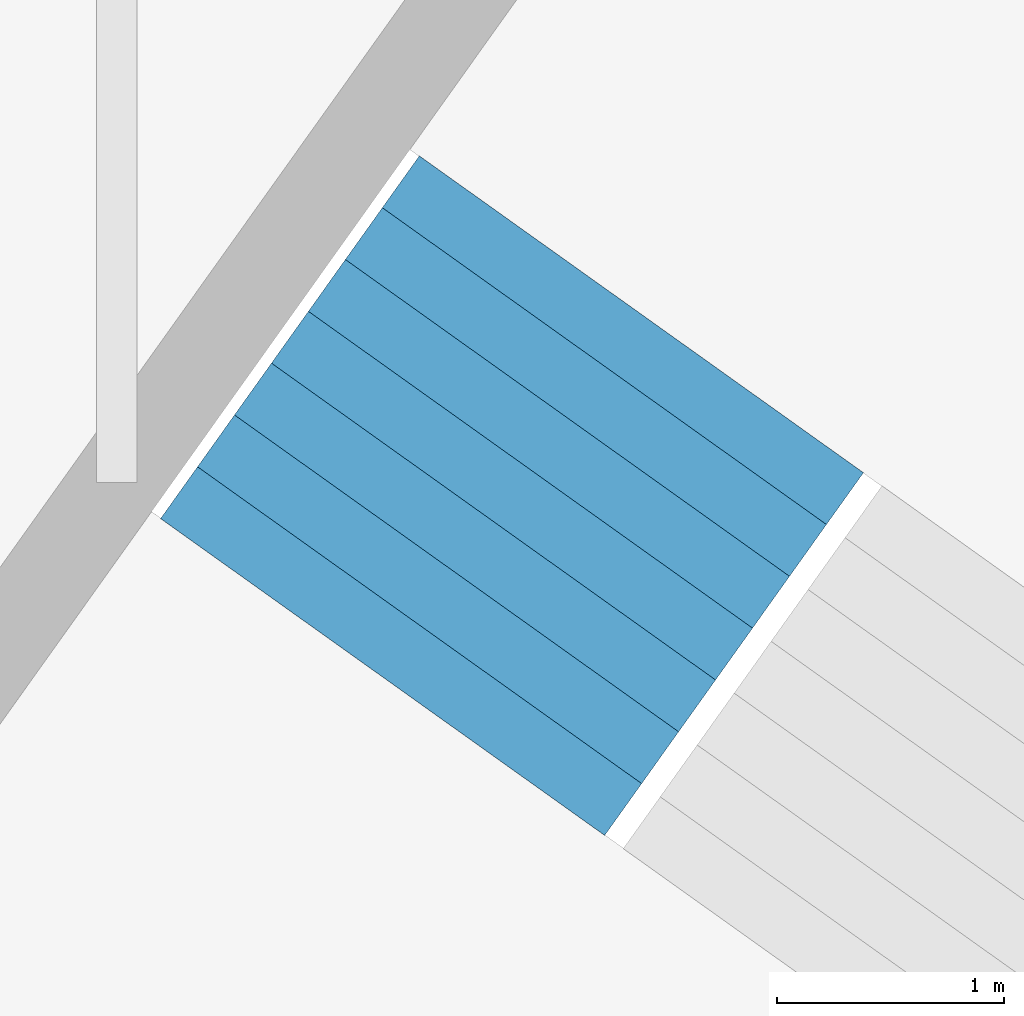
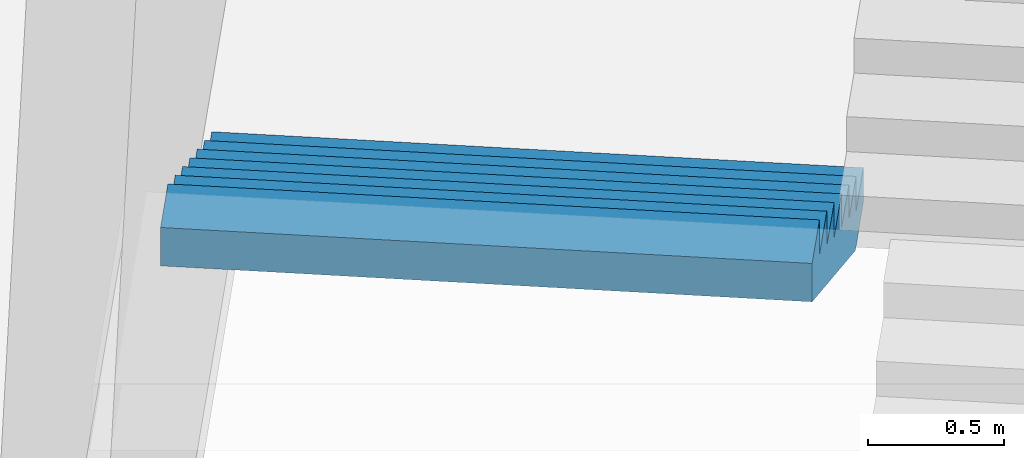
# One storey, part 69 of 73: 1 stair flight, 1 element without a shape of its own.
"""IFC4 building model written with IfcOpenShell, lengths in metres."""

from ifc_helpers import new_model, si_unit, direction, frame, origin, place, context, subcontext, project, spatial, triangles, material, type_object, element, aggregate, save


model = new_model("IFC4")

# Units and contexts
model_context = context("Model", 3, precision=1e-05, world=origin(), true_north=direction((0.0, 1.0)))
body_context = subcontext(model_context, "Body", "Model", "MODEL_VIEW")
ifc_project = project(units=[si_unit("LENGTHUNIT", "METRE"), si_unit("AREAUNIT", "SQUARE_METRE"), si_unit("VOLUMEUNIT", "CUBIC_METRE"), si_unit("PLANEANGLEUNIT", "RADIAN"), si_unit("MASSUNIT", "GRAM", prefix="KILO")], contexts=[model_context])

# Site, building, storey
site_placement = place(None, origin())
site = spatial("IfcSite", under=ifc_project, at=site_placement, CompositionType="ELEMENT")
building_placement = place(site_placement, origin())
building = spatial("IfcBuilding", under=site, at=building_placement, Name="Lantaw Convention Tower", CompositionType="ELEMENT")
storey_placement = place(building_placement, frame((0.0, 0.0, 27.0)))
storey = spatial("IfcBuildingStorey", under=building, at=storey_placement, Name="L04", CompositionType="ELEMENT", Elevation=27.0)

# Stair, stair flight
ifc_material = material(Name="Concrete C35/45", Category="concrete")
stair_type = type_object("IfcStairType", Name="Exit stair 2400 riser 156.25 in 4 flights", PredefinedType="HALF_TURN_STAIR", material=ifc_material)
stair_placement = place(storey_placement, origin())
stair = element("IfcStair", 1, at=stair_placement, inside=storey, type_object=stair_type, Name="Podium exit stair P4 L04", PredefinedType="HALF_TURN_STAIR")
stair_flight_type = type_object("IfcStairFlightType", Name="Stair flight 2400 riser 156.25", PredefinedType="STRAIGHT", material=ifc_material)
stair_flight_placement = place(storey_placement, frame((18.1083984375, 27.53955078125, 1.25), z_axis=(0.0, 0.0, 1.0), x_axis=(-0.580702955711, -0.814115518356, 0.0)))
stair_flight = element("IfcStairFlight", 2, at=stair_flight_placement, type_object=stair_flight_type, Name="P4 flight 2", NumberOfRisers=8, NumberOfTreads=7, PredefinedType="STRAIGHT", RiserHeight=0.15625, TreadLength=0.28, context=body_context, shape_type="Tessellation", body=[
    triangles([(0.0, 1.199951171875, 0.0), (0.0, 1.199951171875, 0.15625), (0.28, 1.199951171875, 0.0), (0.28, 1.199951171875, 0.15625), (0.28, 1.199951171875, 0.3125), (0.3076200632058044, 1.199951171875, 0.0), (0.3076200632058044, 1.199951171875, 0.3125), (0.56, 1.199951171875, 0.14083701830033238), (0.56, 1.199951171875, 0.3125), (0.56, 1.199951171875, 0.46875), (0.8400000000000001, 1.199951171875, 0.29708701830033235), (0.8400000000000001, 1.199951171875, 0.46875), (0.8400000000000001, 1.199951171875, 0.625), (1.12, 1.199951171875, 0.45333701830033235), (1.12, 1.199951171875, 0.625), (1.12, 1.199951171875, 0.78125), (1.4000000000000001, 1.199951171875, 0.6095870183003324), (1.4000000000000001, 1.199951171875, 0.78125), (1.4000000000000001, 1.199951171875, 0.9375), (1.6800000000000002, 1.199951171875, 0.7658370183003324), (1.6800000000000002, 1.199951171875, 0.9375), (1.6800000000000002, 1.199951171875, 1.09375), (1.9600000000000002, 1.199951171875, 0.9220870183003324), (1.9600000000000002, 1.199951171875, 1.09375), (0.0, -1.199951171875, 0.0), (0.0, -1.199951171875, 0.15625), (0.28, -1.199951171875, 0.0), (0.28, -1.199951171875, 0.15625), (0.28, -1.199951171875, 0.3125), (0.3076200632058044, -1.199951171875, 0.0), (0.3076200632058044, -1.199951171875, 0.3125), (0.56, -1.199951171875, 0.14083701830033238), (0.56, -1.199951171875, 0.3125), (0.56, -1.199951171875, 0.46875), (0.8400000000000001, -1.199951171875, 0.29708701830033235), (0.8400000000000001, -1.199951171875, 0.46875), (0.8400000000000001, -1.199951171875, 0.625), (1.12, -1.199951171875, 0.45333701830033235), (1.12, -1.199951171875, 0.625), (1.12, -1.199951171875, 0.78125), (1.4000000000000001, -1.199951171875, 0.6095870183003324), (1.4000000000000001, -1.199951171875, 0.78125), (1.4000000000000001, -1.199951171875, 0.9375), (1.6800000000000002, -1.199951171875, 0.7658370183003324), (1.6800000000000002, -1.199951171875, 0.9375), (1.6800000000000002, -1.199951171875, 1.09375), (1.9600000000000002, -1.199951171875, 0.9220870183003324), (1.9600000000000002, -1.199951171875, 1.09375), (0.0, 0.239990234375, 0.15625), (0.0, 0.239990234375, 0.0), (0.0, 0.1919921875, 0.15625), (0.0, 0.1919921875, 0.0), (0.0, 0.143994140625, 0.15625), (0.0, 0.143994140625, 0.0), (0.0, 0.09599609375, 0.15625), (0.0, 0.09599609375, 0.0), (0.0, 0.047998046875, 0.15625), (0.0, 0.047998046875, 0.0), (0.0, 0.0, 0.15625), (0.0, 0.0, 0.0), (0.0, -0.047998046875, 0.15625), (0.0, -0.047998046875, 0.0), (0.0, -0.09599609375, 0.15625), (0.0, -0.09599609375, 0.0), (0.0, -0.143994140625, 0.15625), (0.0, -0.143994140625, 0.0), (0.0, -0.1919921875, 0.15625), (0.0, -0.1919921875, 0.0), (0.0, -0.239990234375, 0.15625), (0.0, -0.239990234375, 0.0), (0.28, 0.239990234375, 0.3125), (0.28, 0.239990234375, 0.15625), (0.28, 0.1919921875, 0.3125), (0.28, 0.1919921875, 0.15625), (0.28, 0.143994140625, 0.3125), (0.28, 0.143994140625, 0.15625), (0.28, 0.09599609375, 0.3125), (0.28, 0.09599609375, 0.15625), (0.28, 0.047998046875, 0.3125), (0.28, 0.047998046875, 0.15625), (0.28, 0.0, 0.3125), (0.28, 0.0, 0.15625), (0.28, -0.047998046875, 0.3125), (0.28, -0.047998046875, 0.15625), (0.28, -0.09599609375, 0.3125), (0.28, -0.09599609375, 0.15625), (0.28, -0.143994140625, 0.3125), (0.28, -0.143994140625, 0.15625), (0.28, -0.1919921875, 0.3125), (0.28, -0.1919921875, 0.15625), (0.28, -0.239990234375, 0.3125), (0.28, -0.239990234375, 0.15625), (0.56, 0.239990234375, 0.46875), (0.56, 0.239990234375, 0.3125), (0.56, 0.1919921875, 0.46875), (0.56, 0.1919921875, 0.3125), (0.56, 0.143994140625, 0.46875), (0.56, 0.143994140625, 0.3125), (0.56, 0.09599609375, 0.46875), (0.56, 0.09599609375, 0.3125), (0.56, 0.047998046875, 0.46875), (0.56, 0.047998046875, 0.3125), (0.56, 0.0, 0.46875), (0.56, 0.0, 0.3125), (0.56, -0.047998046875, 0.46875), (0.56, -0.047998046875, 0.3125), (0.56, -0.09599609375, 0.46875), (0.56, -0.09599609375, 0.3125), (0.56, -0.143994140625, 0.46875), (0.56, -0.143994140625, 0.3125), (0.56, -0.1919921875, 0.46875), (0.56, -0.1919921875, 0.3125), (0.56, -0.239990234375, 0.46875), (0.56, -0.239990234375, 0.3125), (0.8400000000000001, 0.239990234375, 0.625), (0.8400000000000001, 0.239990234375, 0.46875), (0.8400000000000001, 0.1919921875, 0.625), (0.8400000000000001, 0.1919921875, 0.46875), (0.8400000000000001, 0.143994140625, 0.625), (0.8400000000000001, 0.143994140625, 0.46875), (0.8400000000000001, 0.09599609375, 0.625), (0.8400000000000001, 0.09599609375, 0.46875), (0.8400000000000001, 0.047998046875, 0.625), (0.8400000000000001, 0.047998046875, 0.46875), (0.8400000000000001, 0.0, 0.625), (0.8400000000000001, 0.0, 0.46875), (0.8400000000000001, -0.047998046875, 0.625), (0.8400000000000001, -0.047998046875, 0.46875), (0.8400000000000001, -0.09599609375, 0.625), (0.8400000000000001, -0.09599609375, 0.46875), (0.8400000000000001, -0.143994140625, 0.625), (0.8400000000000001, -0.143994140625, 0.46875), (0.8400000000000001, -0.1919921875, 0.625), (0.8400000000000001, -0.1919921875, 0.46875), (0.8400000000000001, -0.239990234375, 0.625), (0.8400000000000001, -0.239990234375, 0.46875), (1.12, 0.239990234375, 0.78125), (1.12, 0.239990234375, 0.625), (1.12, 0.1919921875, 0.78125), (1.12, 0.1919921875, 0.625), (1.12, 0.143994140625, 0.78125), (1.12, 0.143994140625, 0.625), (1.12, 0.09599609375, 0.78125), (1.12, 0.09599609375, 0.625), (1.12, 0.047998046875, 0.78125), (1.12, 0.047998046875, 0.625), (1.12, 0.0, 0.78125), (1.12, 0.0, 0.625), (1.12, -0.047998046875, 0.78125), (1.12, -0.047998046875, 0.625), (1.12, -0.09599609375, 0.78125), (1.12, -0.09599609375, 0.625), (1.12, -0.143994140625, 0.78125), (1.12, -0.143994140625, 0.625), (1.12, -0.1919921875, 0.78125), (1.12, -0.1919921875, 0.625), (1.12, -0.239990234375, 0.78125), (1.12, -0.239990234375, 0.625), (1.4000000000000001, 0.239990234375, 0.9375), (1.4000000000000001, 0.239990234375, 0.78125), (1.4000000000000001, 0.1919921875, 0.9375), (1.4000000000000001, 0.1919921875, 0.78125), (1.4000000000000001, 0.143994140625, 0.9375), (1.4000000000000001, 0.143994140625, 0.78125), (1.4000000000000001, 0.09599609375, 0.9375), (1.4000000000000001, 0.09599609375, 0.78125), (1.4000000000000001, 0.047998046875, 0.9375), (1.4000000000000001, 0.047998046875, 0.78125), (1.4000000000000001, 0.0, 0.9375), (1.4000000000000001, 0.0, 0.78125), (1.4000000000000001, -0.047998046875, 0.9375), (1.4000000000000001, -0.047998046875, 0.78125), (1.4000000000000001, -0.09599609375, 0.9375), (1.4000000000000001, -0.09599609375, 0.78125), (1.4000000000000001, -0.143994140625, 0.9375), (1.4000000000000001, -0.143994140625, 0.78125), (1.4000000000000001, -0.1919921875, 0.9375), (1.4000000000000001, -0.1919921875, 0.78125), (1.4000000000000001, -0.239990234375, 0.9375), (1.4000000000000001, -0.239990234375, 0.78125), (1.6800000000000002, 0.239990234375, 1.09375), (1.6800000000000002, 0.239990234375, 0.9375), (1.6800000000000002, 0.1919921875, 1.09375), (1.6800000000000002, 0.1919921875, 0.9375), (1.6800000000000002, 0.143994140625, 1.09375), (1.6800000000000002, 0.143994140625, 0.9375), (1.6800000000000002, 0.09599609375, 1.09375), (1.6800000000000002, 0.09599609375, 0.9375), (1.6800000000000002, 0.047998046875, 1.09375), (1.6800000000000002, 0.047998046875, 0.9375), (1.6800000000000002, 0.0, 1.09375), (1.6800000000000002, 0.0, 0.9375), (1.6800000000000002, -0.047998046875, 1.09375), (1.6800000000000002, -0.047998046875, 0.9375), (1.6800000000000002, -0.09599609375, 1.09375), (1.6800000000000002, -0.09599609375, 0.9375), (1.6800000000000002, -0.143994140625, 1.09375), (1.6800000000000002, -0.143994140625, 0.9375), (1.6800000000000002, -0.1919921875, 1.09375), (1.6800000000000002, -0.1919921875, 0.9375), (1.6800000000000002, -0.239990234375, 1.09375), (1.6800000000000002, -0.239990234375, 0.9375), (0.3076200632058044, 0.239990234375, 0.3125), (0.3076200632058044, 0.1919921875, 0.3125), (0.3076200632058044, 0.143994140625, 0.3125), (0.3076200632058044, 0.09599609375, 0.3125), (0.3076200632058044, 0.047998046875, 0.3125), (0.3076200632058044, 0.0, 0.3125), (0.3076200632058044, -0.047998046875, 0.3125), (0.3076200632058044, -0.09599609375, 0.3125), (0.3076200632058044, -0.143994140625, 0.3125), (0.3076200632058044, -0.1919921875, 0.3125), (0.3076200632058044, -0.239990234375, 0.3125), (1.9600000000000002, 0.239990234375, 1.09375), (1.9600000000000002, 0.1919921875, 1.09375), (1.9600000000000002, 0.143994140625, 1.09375), (1.9600000000000002, 0.09599609375, 1.09375), (1.9600000000000002, 0.047998046875, 1.09375), (1.9600000000000002, 0.0, 1.09375), (1.9600000000000002, -0.047998046875, 1.09375), (1.9600000000000002, -0.09599609375, 1.09375), (1.9600000000000002, -0.143994140625, 1.09375), (1.9600000000000002, -0.1919921875, 1.09375), (1.9600000000000002, -0.239990234375, 1.09375), (1.9600000000000002, 0.239990234375, 0.9220870183003324), (1.9600000000000002, 0.1919921875, 0.9220870183003324), (1.9600000000000002, 0.143994140625, 0.9220870183003324), (1.9600000000000002, 0.09599609375, 0.9220870183003324), (1.9600000000000002, 0.047998046875, 0.9220870183003324), (1.9600000000000002, 0.0, 0.9220870183003324), (1.9600000000000002, -0.047998046875, 0.9220870183003324), (1.9600000000000002, -0.09599609375, 0.9220870183003324), (1.9600000000000002, -0.143994140625, 0.9220870183003324), (1.9600000000000002, -0.1919921875, 0.9220870183003324), (1.9600000000000002, -0.239990234375, 0.9220870183003324), (1.6800000000000002, 0.239990234375, 0.7658370183003324), (1.6800000000000002, 0.1919921875, 0.7658370183003324), (1.6800000000000002, 0.143994140625, 0.7658370183003324), (1.6800000000000002, 0.09599609375, 0.7658370183003324), (1.6800000000000002, 0.047998046875, 0.7658370183003324), (1.6800000000000002, 0.0, 0.7658370183003324), (1.6800000000000002, -0.047998046875, 0.7658370183003324), (1.6800000000000002, -0.09599609375, 0.7658370183003324), (1.6800000000000002, -0.143994140625, 0.7658370183003324), (1.6800000000000002, -0.1919921875, 0.7658370183003324), (1.6800000000000002, -0.239990234375, 0.7658370183003324), (1.4000000000000001, 0.239990234375, 0.6095870183003324), (1.4000000000000001, 0.1919921875, 0.6095870183003324), (1.4000000000000001, 0.143994140625, 0.6095870183003324), (1.4000000000000001, 0.09599609375, 0.6095870183003324), (1.4000000000000001, 0.047998046875, 0.6095870183003324), (1.4000000000000001, 0.0, 0.6095870183003324), (1.4000000000000001, -0.047998046875, 0.6095870183003324), (1.4000000000000001, -0.09599609375, 0.6095870183003324), (1.4000000000000001, -0.143994140625, 0.6095870183003324), (1.4000000000000001, -0.1919921875, 0.6095870183003324), (1.4000000000000001, -0.239990234375, 0.6095870183003324), (1.12, 0.239990234375, 0.45333701830033235), (1.12, 0.1919921875, 0.45333701830033235), (1.12, 0.143994140625, 0.45333701830033235), (1.12, 0.09599609375, 0.45333701830033235), (1.12, 0.047998046875, 0.45333701830033235), (1.12, 0.0, 0.45333701830033235), (1.12, -0.047998046875, 0.45333701830033235), (1.12, -0.09599609375, 0.45333701830033235), (1.12, -0.143994140625, 0.45333701830033235), (1.12, -0.1919921875, 0.45333701830033235), (1.12, -0.239990234375, 0.45333701830033235), (0.8400000000000001, 0.239990234375, 0.29708701830033235), (0.8400000000000001, 0.1919921875, 0.29708701830033235), (0.8400000000000001, 0.143994140625, 0.29708701830033235), (0.8400000000000001, 0.09599609375, 0.29708701830033235), (0.8400000000000001, 0.047998046875, 0.29708701830033235), (0.8400000000000001, 0.0, 0.29708701830033235), (0.8400000000000001, -0.047998046875, 0.29708701830033235), (0.8400000000000001, -0.09599609375, 0.29708701830033235), (0.8400000000000001, -0.143994140625, 0.29708701830033235), (0.8400000000000001, -0.1919921875, 0.29708701830033235), (0.8400000000000001, -0.239990234375, 0.29708701830033235), (0.56, 0.239990234375, 0.14083701830033238), (0.56, 0.1919921875, 0.14083701830033238), (0.56, 0.143994140625, 0.14083701830033238), (0.56, 0.09599609375, 0.14083701830033238), (0.56, 0.047998046875, 0.14083701830033238), (0.56, 0.0, 0.14083701830033238), (0.56, -0.047998046875, 0.14083701830033238), (0.56, -0.09599609375, 0.14083701830033238), (0.56, -0.143994140625, 0.14083701830033238), (0.56, -0.1919921875, 0.14083701830033238), (0.56, -0.239990234375, 0.14083701830033238), (0.3076200632058044, 0.239990234375, 0.0), (0.3076200632058044, 0.1919921875, 0.0), (0.3076200632058044, 0.143994140625, 0.0), (0.3076200632058044, 0.09599609375, 0.0), (0.3076200632058044, 0.047998046875, 0.0), (0.3076200632058044, 0.0, 0.0), (0.3076200632058044, -0.047998046875, 0.0), (0.3076200632058044, -0.09599609375, 0.0), (0.3076200632058044, -0.143994140625, 0.0), (0.3076200632058044, -0.1919921875, 0.0), (0.3076200632058044, -0.239990234375, 0.0), (0.28, 0.239990234375, 0.0), (0.28, 0.1919921875, 0.0), (0.28, 0.143994140625, 0.0), (0.28, 0.09599609375, 0.0), (0.28, 0.047998046875, 0.0), (0.28, 0.0, 0.0), (0.28, -0.047998046875, 0.0), (0.28, -0.09599609375, 0.0), (0.28, -0.143994140625, 0.0), (0.28, -0.1919921875, 0.0), (0.28, -0.239990234375, 0.0)], [[1, 4, 3], [1, 2, 4], [3, 4, 6], [4, 7, 6], [4, 5, 7], [6, 9, 8], [6, 7, 9], [8, 9, 11], [9, 12, 11], [9, 10, 12], [11, 12, 14], [12, 15, 14], [12, 13, 15], [14, 15, 17], [15, 18, 17], [15, 16, 18], [17, 18, 20], [18, 21, 20], [18, 19, 21], [20, 21, 23], [21, 24, 23], [21, 22, 24], [25, 27, 28], [25, 28, 26], [27, 30, 28], [28, 30, 31], [28, 31, 29], [30, 32, 33], [30, 33, 31], [32, 35, 33], [33, 35, 36], [33, 36, 34], [35, 38, 36], [36, 38, 39], [36, 39, 37], [38, 41, 39], [39, 41, 42], [39, 42, 40], [41, 44, 42], [42, 44, 45], [42, 45, 43], [44, 47, 45], [45, 47, 48], [45, 48, 46], [1, 49, 2], [1, 50, 49], [50, 51, 49], [50, 52, 51], [52, 53, 51], [52, 54, 53], [54, 55, 53], [54, 56, 55], [56, 57, 55], [56, 58, 57], [58, 59, 57], [58, 60, 59], [60, 61, 59], [60, 62, 61], [62, 63, 61], [62, 64, 63], [64, 65, 63], [64, 66, 65], [66, 67, 65], [66, 68, 67], [68, 69, 67], [68, 70, 69], [70, 26, 69], [70, 25, 26], [4, 71, 5], [4, 72, 71], [72, 73, 71], [72, 74, 73], [74, 75, 73], [74, 76, 75], [76, 77, 75], [76, 78, 77], [78, 79, 77], [78, 80, 79], [80, 81, 79], [80, 82, 81], [82, 83, 81], [82, 84, 83], [84, 85, 83], [84, 86, 85], [86, 87, 85], [86, 88, 87], [88, 89, 87], [88, 90, 89], [90, 91, 89], [90, 92, 91], [92, 29, 91], [92, 28, 29], [9, 93, 10], [9, 94, 93], [94, 95, 93], [94, 96, 95], [96, 97, 95], [96, 98, 97], [98, 99, 97], [98, 100, 99], [100, 101, 99], [100, 102, 101], [102, 103, 101], [102, 104, 103], [104, 105, 103], [104, 106, 105], [106, 107, 105], [106, 108, 107], [108, 109, 107], [108, 110, 109], [110, 111, 109], [110, 112, 111], [112, 113, 111], [112, 114, 113], [114, 34, 113], [114, 33, 34], [12, 115, 13], [12, 116, 115], [116, 117, 115], [116, 118, 117], [118, 119, 117], [118, 120, 119], [120, 121, 119], [120, 122, 121], [122, 123, 121], [122, 124, 123], [124, 125, 123], [124, 126, 125], [126, 127, 125], [126, 128, 127], [128, 129, 127], [128, 130, 129], [130, 131, 129], [130, 132, 131], [132, 133, 131], [132, 134, 133], [134, 135, 133], [134, 136, 135], [136, 37, 135], [136, 36, 37], [15, 137, 16], [15, 138, 137], [138, 139, 137], [138, 140, 139], [140, 141, 139], [140, 142, 141], [142, 143, 141], [142, 144, 143], [144, 145, 143], [144, 146, 145], [146, 147, 145], [146, 148, 147], [148, 149, 147], [148, 150, 149], [150, 151, 149], [150, 152, 151], [152, 153, 151], [152, 154, 153], [154, 155, 153], [154, 156, 155], [156, 157, 155], [156, 158, 157], [158, 40, 157], [158, 39, 40], [18, 159, 19], [18, 160, 159], [160, 161, 159], [160, 162, 161], [162, 163, 161], [162, 164, 163], [164, 165, 163], [164, 166, 165], [166, 167, 165], [166, 168, 167], [168, 169, 167], [168, 170, 169], [170, 171, 169], [170, 172, 171], [172, 173, 171], [172, 174, 173], [174, 175, 173], [174, 176, 175], [176, 177, 175], [176, 178, 177], [178, 179, 177], [178, 180, 179], [180, 43, 179], [180, 42, 43], [21, 181, 22], [21, 182, 181], [182, 183, 181], [182, 184, 183], [184, 185, 183], [184, 186, 185], [186, 187, 185], [186, 188, 187], [188, 189, 187], [188, 190, 189], [190, 191, 189], [190, 192, 191], [192, 193, 191], [192, 194, 193], [194, 195, 193], [194, 196, 195], [196, 197, 195], [196, 198, 197], [198, 199, 197], [198, 200, 199], [200, 201, 199], [200, 202, 201], [202, 46, 201], [202, 45, 46], [2, 72, 4], [2, 49, 72], [49, 74, 72], [49, 51, 74], [51, 76, 74], [51, 53, 76], [53, 78, 76], [53, 55, 78], [55, 80, 78], [55, 57, 80], [57, 82, 80], [57, 59, 82], [59, 84, 82], [59, 61, 84], [61, 86, 84], [61, 63, 86], [63, 88, 86], [63, 65, 88], [65, 90, 88], [65, 67, 90], [67, 92, 90], [67, 69, 92], [69, 28, 92], [69, 26, 28], [5, 203, 7], [5, 71, 203], [71, 204, 203], [71, 73, 204], [73, 205, 204], [73, 75, 205], [75, 206, 205], [75, 77, 206], [77, 207, 206], [77, 79, 207], [79, 208, 207], [79, 81, 208], [81, 209, 208], [81, 83, 209], [83, 210, 209], [83, 85, 210], [85, 211, 210], [85, 87, 211], [87, 212, 211], [87, 89, 212], [89, 213, 212], [89, 91, 213], [91, 31, 213], [91, 29, 31], [7, 94, 9], [7, 203, 94], [203, 96, 94], [203, 204, 96], [204, 98, 96], [204, 205, 98], [205, 100, 98], [205, 206, 100], [206, 102, 100], [206, 207, 102], [207, 104, 102], [207, 208, 104], [208, 106, 104], [208, 209, 106], [209, 108, 106], [209, 210, 108], [210, 110, 108], [210, 211, 110], [211, 112, 110], [211, 212, 112], [212, 114, 112], [212, 213, 114], [213, 33, 114], [213, 31, 33], [10, 116, 12], [10, 93, 116], [93, 118, 116], [93, 95, 118], [95, 120, 118], [95, 97, 120], [97, 122, 120], [97, 99, 122], [99, 124, 122], [99, 101, 124], [101, 126, 124], [101, 103, 126], [103, 128, 126], [103, 105, 128], [105, 130, 128], [105, 107, 130], [107, 132, 130], [107, 109, 132], [109, 134, 132], [109, 111, 134], [111, 136, 134], [111, 113, 136], [113, 36, 136], [113, 34, 36], [13, 138, 15], [13, 115, 138], [115, 140, 138], [115, 117, 140], [117, 142, 140], [117, 119, 142], [119, 144, 142], [119, 121, 144], [121, 146, 144], [121, 123, 146], [123, 148, 146], [123, 125, 148], [125, 150, 148], [125, 127, 150], [127, 152, 150], [127, 129, 152], [129, 154, 152], [129, 131, 154], [131, 156, 154], [131, 133, 156], [133, 158, 156], [133, 135, 158], [135, 39, 158], [135, 37, 39], [16, 160, 18], [16, 137, 160], [137, 162, 160], [137, 139, 162], [139, 164, 162], [139, 141, 164], [141, 166, 164], [141, 143, 166], [143, 168, 166], [143, 145, 168], [145, 170, 168], [145, 147, 170], [147, 172, 170], [147, 149, 172], [149, 174, 172], [149, 151, 174], [151, 176, 174], [151, 153, 176], [153, 178, 176], [153, 155, 178], [155, 180, 178], [155, 157, 180], [157, 42, 180], [157, 40, 42], [19, 182, 21], [19, 159, 182], [159, 184, 182], [159, 161, 184], [161, 186, 184], [161, 163, 186], [163, 188, 186], [163, 165, 188], [165, 190, 188], [165, 167, 190], [167, 192, 190], [167, 169, 192], [169, 194, 192], [169, 171, 194], [171, 196, 194], [171, 173, 196], [173, 198, 196], [173, 175, 198], [175, 200, 198], [175, 177, 200], [177, 202, 200], [177, 179, 202], [179, 45, 202], [179, 43, 45], [22, 214, 24], [22, 181, 214], [181, 215, 214], [181, 183, 215], [183, 216, 215], [183, 185, 216], [185, 217, 216], [185, 187, 217], [187, 218, 217], [187, 189, 218], [189, 219, 218], [189, 191, 219], [191, 220, 219], [191, 193, 220], [193, 221, 220], [193, 195, 221], [195, 222, 221], [195, 197, 222], [197, 223, 222], [197, 199, 223], [199, 224, 223], [199, 201, 224], [201, 48, 224], [201, 46, 48], [24, 225, 23], [24, 214, 225], [214, 226, 225], [214, 215, 226], [215, 227, 226], [215, 216, 227], [216, 228, 227], [216, 217, 228], [217, 229, 228], [217, 218, 229], [218, 230, 229], [218, 219, 230], [219, 231, 230], [219, 220, 231], [220, 232, 231], [220, 221, 232], [221, 233, 232], [221, 222, 233], [222, 234, 233], [222, 223, 234], [223, 235, 234], [223, 224, 235], [224, 47, 235], [224, 48, 47], [23, 236, 20], [23, 225, 236], [225, 237, 236], [225, 226, 237], [226, 238, 237], [226, 227, 238], [227, 239, 238], [227, 228, 239], [228, 240, 239], [228, 229, 240], [229, 241, 240], [229, 230, 241], [230, 242, 241], [230, 231, 242], [231, 243, 242], [231, 232, 243], [232, 244, 243], [232, 233, 244], [233, 245, 244], [233, 234, 245], [234, 246, 245], [234, 235, 246], [235, 44, 246], [235, 47, 44], [20, 247, 17], [20, 236, 247], [236, 248, 247], [236, 237, 248], [237, 249, 248], [237, 238, 249], [238, 250, 249], [238, 239, 250], [239, 251, 250], [239, 240, 251], [240, 252, 251], [240, 241, 252], [241, 253, 252], [241, 242, 253], [242, 254, 253], [242, 243, 254], [243, 255, 254], [243, 244, 255], [244, 256, 255], [244, 245, 256], [245, 257, 256], [245, 246, 257], [246, 41, 257], [246, 44, 41], [17, 258, 14], [17, 247, 258], [247, 259, 258], [247, 248, 259], [248, 260, 259], [248, 249, 260], [249, 261, 260], [249, 250, 261], [250, 262, 261], [250, 251, 262], [251, 263, 262], [251, 252, 263], [252, 264, 263], [252, 253, 264], [253, 265, 264], [253, 254, 265], [254, 266, 265], [254, 255, 266], [255, 267, 266], [255, 256, 267], [256, 268, 267], [256, 257, 268], [257, 38, 268], [257, 41, 38], [14, 269, 11], [14, 258, 269], [258, 270, 269], [258, 259, 270], [259, 271, 270], [259, 260, 271], [260, 272, 271], [260, 261, 272], [261, 273, 272], [261, 262, 273], [262, 274, 273], [262, 263, 274], [263, 275, 274], [263, 264, 275], [264, 276, 275], [264, 265, 276], [265, 277, 276], [265, 266, 277], [266, 278, 277], [266, 267, 278], [267, 279, 278], [267, 268, 279], [268, 35, 279], [268, 38, 35], [11, 280, 8], [11, 269, 280], [269, 281, 280], [269, 270, 281], [270, 282, 281], [270, 271, 282], [271, 283, 282], [271, 272, 283], [272, 284, 283], [272, 273, 284], [273, 285, 284], [273, 274, 285], [274, 286, 285], [274, 275, 286], [275, 287, 286], [275, 276, 287], [276, 288, 287], [276, 277, 288], [277, 289, 288], [277, 278, 289], [278, 290, 289], [278, 279, 290], [279, 32, 290], [279, 35, 32], [8, 291, 6], [8, 280, 291], [280, 292, 291], [280, 281, 292], [281, 293, 292], [281, 282, 293], [282, 294, 293], [282, 283, 294], [283, 295, 294], [283, 284, 295], [284, 296, 295], [284, 285, 296], [285, 297, 296], [285, 286, 297], [286, 298, 297], [286, 287, 298], [287, 299, 298], [287, 288, 299], [288, 300, 299], [288, 289, 300], [289, 301, 300], [289, 290, 301], [290, 30, 301], [290, 32, 30], [6, 302, 3], [6, 291, 302], [291, 303, 302], [291, 292, 303], [292, 304, 303], [292, 293, 304], [293, 305, 304], [293, 294, 305], [294, 306, 305], [294, 295, 306], [295, 307, 306], [295, 296, 307], [296, 308, 307], [296, 297, 308], [297, 309, 308], [297, 298, 309], [298, 310, 309], [298, 299, 310], [299, 311, 310], [299, 300, 311], [300, 312, 311], [300, 301, 312], [301, 27, 312], [301, 30, 27], [3, 50, 1], [3, 302, 50], [302, 52, 50], [302, 303, 52], [303, 54, 52], [303, 304, 54], [304, 56, 54], [304, 305, 56], [305, 58, 56], [305, 306, 58], [306, 60, 58], [306, 307, 60], [307, 62, 60], [307, 308, 62], [308, 64, 62], [308, 309, 64], [309, 66, 64], [309, 310, 66], [310, 68, 66], [310, 311, 68], [311, 70, 68], [311, 312, 70], [312, 25, 70], [312, 27, 25]], closed=True),
])
aggregate(stair, [stair_flight])

save(model, "model.ifc")
